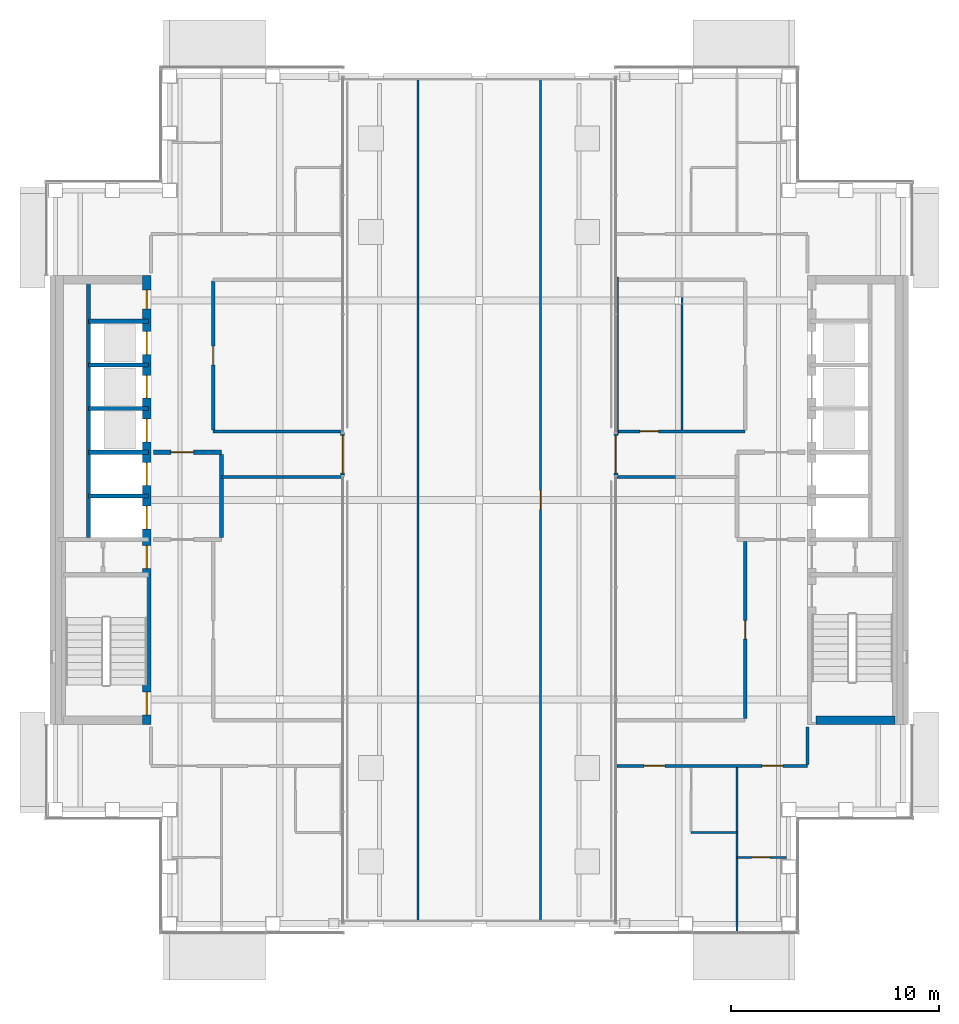
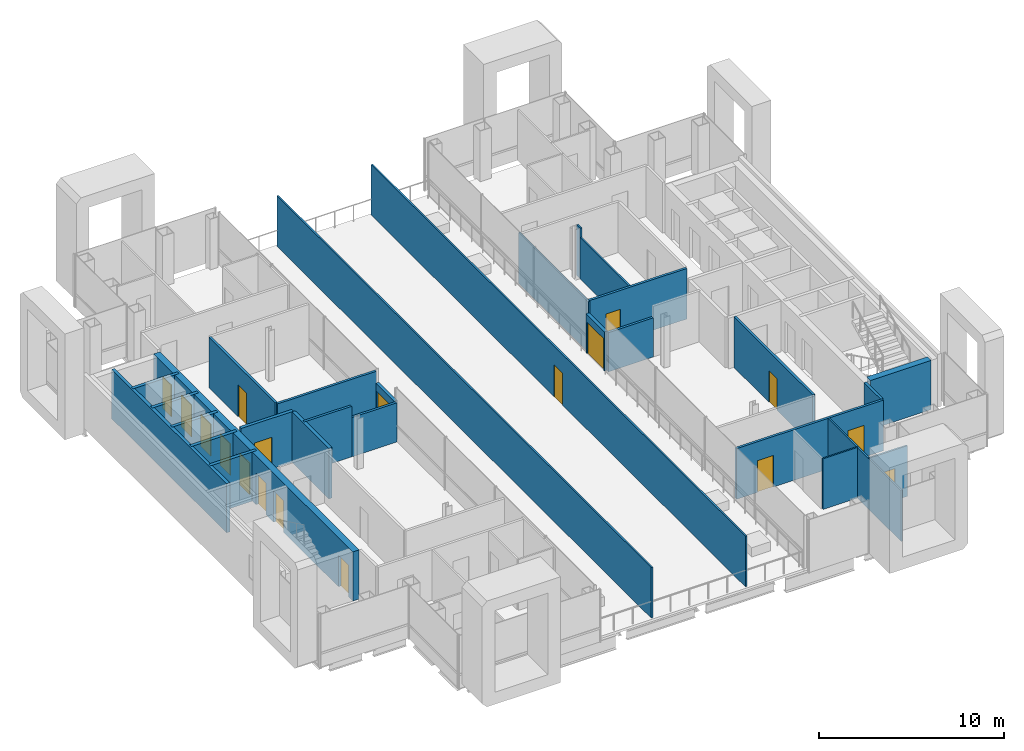
# One storey, part 11 of 17: 29 walls, 18 doors, 18 openings.
"""IFC4 building model written with IfcOpenShell, lengths in metres."""

from ifc_helpers import new_model, si_unit, direction, frame, frame_2d, origin, place, context, subcontext, project, spatial, rectangle, extrude, material, layer, layer_set, type_object, element, fill, save


model = new_model("IFC4")

# Units and contexts
model_context = context("Model", 3, precision=1e-05, world=origin(), true_north=direction((0.0, 1.0)))
body_context = subcontext(model_context, "Body", "Model", "MODEL_VIEW")
ifc_project = project(units=[si_unit("LENGTHUNIT", "METRE"), si_unit("AREAUNIT", "SQUARE_METRE"), si_unit("VOLUMEUNIT", "CUBIC_METRE"), si_unit("PLANEANGLEUNIT", "RADIAN"), si_unit("MASSUNIT", "GRAM", prefix="KILO")], contexts=[model_context])

# Site, building, storey
site_placement = place(None, origin())
site = spatial("IfcSite", under=ifc_project, at=site_placement, CompositionType="ELEMENT")
building_placement = place(site_placement, origin())
building = spatial("IfcBuilding", under=site, at=building_placement, Name="Cobrizo Arcos Hotel Tower", CompositionType="ELEMENT")
storey_placement = place(building_placement, frame((0.0, 0.0, 219.0)))
storey = spatial("IfcBuildingStorey", under=building, at=storey_placement, Name="L57", CompositionType="ELEMENT", Elevation=219.0)

# Wall, openings, doors
ifc_material_1 = material(Name="Gypsum board partition")
ifc_layer_1 = layer(ifc_material_1, 0.14990234375)
ifc_layer_set_1 = layer_set([ifc_layer_1], Name="Corridor wall EI 60 150")
wall_type_1 = type_object("IfcWallType", Name="Corridor wall EI 60 150", PredefinedType="PARTITIONING", material=ifc_layer_set_1)
wall_1_placement = place(storey_placement, frame((6.6201171875, -12.800048828125, 0.0), z_axis=(0.0, 0.0, 1.0), x_axis=(1.0, 0.0, 0.0)))
wall_1 = element("IfcWall", 1, at=wall_1_placement, inside=storey, type_object=wall_type_1, Name="Partition 006", PredefinedType="PARTITIONING", context=body_context, shape_type="SweptSolid", body=[
    extrude(rectangle(XDim=9.179931640625, YDim=0.14990234375, at=frame_2d((4.58984375, 0.0))), origin(), (0.0, 0.0, 1.0), 3.35009765625),
])
opening_1_placement = place(wall_1_placement, frame((1.31396484375, 0.0, 0.0)))
opening_1 = element("IfcOpeningElement", 2, at=opening_1_placement, cuts=wall_1, Name="Opening GD-03", PredefinedType="OPENING", context=body_context, shape_type="SweptSolid", body=[
    extrude(rectangle(XDim=1.0, YDim=2.10009765625, at=frame_2d((0.5, 1.050048828125))), frame((0.0, 0.0869140625, 0.0), z_axis=(0.0, -1.0, 0.0), x_axis=(1.0, 0.0, 0.0)), (0.0, 0.0, 1.0), 0.173828125),
])
opening_2_placement = place(wall_1_placement, frame((6.988037109375, 0.0, 0.0)))
opening_2 = element("IfcOpeningElement", 3, at=opening_2_placement, cuts=wall_1, Name="Opening GD-07", PredefinedType="OPENING", context=body_context, shape_type="SweptSolid", body=[
    extrude(rectangle(XDim=1.0, YDim=2.10009765625, at=frame_2d((0.5, 1.050048828125))), frame((0.0, 0.0869140625, 0.0), z_axis=(0.0, -1.0, 0.0), x_axis=(1.0, 0.0, 0.0)), (0.0, 0.0, 1.0), 0.173828125),
])
ifc_material_2 = material(Name="Timber door leaf", Category="wood")
door_type_1 = type_object("IfcDoorType", Name="Guest room door FD30S 1000x2100", OperationType="SINGLE_SWING_LEFT", PredefinedType="DOOR", material=ifc_material_2)
door_1_placement = place(opening_1_placement, origin())
door_1 = element("IfcDoor", 4, at=door_1_placement, inside=storey, type_object=door_type_1, Name="Door GD-03", OperationType="SINGLE_SWING_RIGHT", OverallHeight=2.10009765625, OverallWidth=1.0, PredefinedType="DOOR", context=body_context, shape_type="SweptSolid", body=[
    extrude(rectangle(XDim=1.0, YDim=2.10009765625, at=frame_2d((0.5, 1.050048828125))), frame((0.0, 0.02490234375, 0.0), z_axis=(0.0, -1.0, 0.0), x_axis=(1.0, 0.0, 0.0)), (0.0, 0.0, 1.0), 0.050048828125),
])
fill(opening_1, door_1)
door_2_placement = place(opening_2_placement, origin())
door_2 = element("IfcDoor", 5, at=door_2_placement, inside=storey, type_object=door_type_1, Name="Door GD-07", OperationType="SINGLE_SWING_LEFT", OverallHeight=2.10009765625, OverallWidth=1.0, PredefinedType="DOOR", context=body_context, shape_type="SweptSolid", body=[
    extrude(rectangle(XDim=1.0, YDim=2.10009765625, at=frame_2d((0.5, 1.050048828125))), frame((0.0, 0.02490234375, 0.0), z_axis=(0.0, -1.0, 0.0), x_axis=(1.0, 0.0, 0.0)), (0.0, 0.0, 1.0), 0.050048828125),
])
fill(opening_2, door_2)

# Walls
wall_2_placement = place(storey_placement, frame((-12.39990234375, 1.10009765625, 0.0), z_axis=(0.0, 0.0, 1.0), x_axis=(1.0, 0.0, 0.0)))
element("IfcWall", 6, at=wall_2_placement, inside=storey, type_object=wall_type_1, Name="Partition 017", PredefinedType="PARTITIONING", context=body_context, shape_type="SweptSolid", body=[
    extrude(rectangle(XDim=2.9638671875, YDim=0.14990234375, at=frame_2d((1.48193359375, 0.0))), origin(), (0.0, 0.0, 1.0), 3.35009765625),
])
for number, where, z_axis, x_axis, name in (
    (7, (-9.43603515625, 1.10009765625, 0.0), (0.0, 0.0, 1.0), (1.0, 0.0, 0.0), "Partition 018"),
    (8, (6.6201171875, 1.10009765625, 0.0), (0.0, 0.0, 1.0), (1.0, 0.0, 0.0), "Partition 019"),
):
    element("IfcWall", number, at=place(storey_placement, frame(where, z_axis=z_axis, x_axis=x_axis)), inside=storey, type_object=wall_type_1, Name=name, PredefinedType="PARTITIONING", context=body_context, shape_type="SweptSolid", body=[
        extrude(rectangle(XDim=2.81591796875, YDim=0.14990234375, at=frame_2d((1.407958984375, 0.0))), origin(), (0.0, 0.0, 1.0), 2.593017578125),
    ])
wall_3_placement = place(storey_placement, frame((-12.800048828125, 3.300048828125, 0.0), z_axis=(0.0, 0.0, 1.0), x_axis=(1.0, 0.0, 0.0)))
element("IfcWall", 9, at=wall_3_placement, inside=storey, type_object=wall_type_1, Name="Partition 025", PredefinedType="PARTITIONING", context=body_context, shape_type="SweptSolid", body=[
    extrude(rectangle(XDim=6.179931640625, YDim=0.14990234375, at=frame_2d((3.08984375, 0.0))), origin(), (0.0, 0.0, 1.0), 3.35009765625),
])

# Wall, opening, door
wall_4_placement = place(storey_placement, frame((6.64990234375, 3.300048828125, 0.0), z_axis=(0.0, 0.0, 1.0), x_axis=(1.0, 0.0, 0.0)))
wall_4 = element("IfcWall", 10, at=wall_4_placement, inside=storey, type_object=wall_type_1, Name="Partition 026", PredefinedType="PARTITIONING", context=body_context, shape_type="SweptSolid", body=[
    extrude(rectangle(XDim=6.150146484375, YDim=0.14990234375, at=frame_2d((3.0751953125, 0.0))), origin(), (0.0, 0.0, 1.0), 3.35009765625),
])
opening_3_placement = place(wall_4_placement, frame((1.0869140625, 0.0, 0.0)))
opening_3 = element("IfcOpeningElement", 11, at=opening_3_placement, cuts=wall_4, Name="Opening ED-09", PredefinedType="OPENING", context=body_context, shape_type="SweptSolid", body=[
    extrude(rectangle(XDim=0.89990234375, YDim=2.10009765625, at=frame_2d((0.449951171875, 1.050048828125))), frame((0.0, 0.0869140625, 0.0), z_axis=(0.0, -1.0, 0.0), x_axis=(1.0, 0.0, 0.0)), (0.0, 0.0, 1.0), 0.173828125),
])
door_type_2 = type_object("IfcDoorType", Name="En-suite door 900x2100", OperationType="SINGLE_SWING_LEFT", PredefinedType="DOOR", material=ifc_material_2)
door_3_placement = place(opening_3_placement, origin())
door_3 = element("IfcDoor", 12, at=door_3_placement, inside=storey, type_object=door_type_2, Name="Door ED-09", OperationType="SINGLE_SWING_LEFT", OverallHeight=2.10009765625, OverallWidth=0.89990234375, PredefinedType="DOOR", context=body_context, shape_type="SweptSolid", body=[
    extrude(rectangle(XDim=0.89990234375, YDim=2.10009765625, at=frame_2d((0.449951171875, 1.050048828125))), frame((0.0, 0.02490234375, 0.0), z_axis=(0.0, -1.0, 0.0), x_axis=(1.0, 0.0, 0.0)), (0.0, 0.0, 1.0), 0.050048828125),
])
fill(opening_3, door_3)

wall_5_placement = place(storey_placement, frame((-12.800048828125, 3.375, 0.0), z_axis=(0.0, 0.0, 1.0), x_axis=(0.0, 1.0, 0.0)))
wall_5 = element("IfcWall", 13, at=wall_5_placement, inside=storey, type_object=wall_type_1, Name="Partition 047", PredefinedType="PARTITIONING", context=body_context, shape_type="SweptSolid", body=[
    extrude(rectangle(XDim=7.175048828125, YDim=0.14990234375, at=frame_2d((3.58740234375, 0.0))), origin(), (0.0, 0.0, 1.0), 3.35009765625),
])
opening_4_placement = place(wall_5_placement, frame((3.125, 0.0, 0.0)))
opening_4 = element("IfcOpeningElement", 14, at=opening_4_placement, cuts=wall_5, Name="Opening RD-05", PredefinedType="OPENING", context=body_context, shape_type="SweptSolid", body=[
    extrude(rectangle(XDim=0.89990234375, YDim=2.10009765625, at=frame_2d((0.449951171875, 1.050048828125))), frame((0.0, 0.0869140625, 0.0), z_axis=(0.0, -1.0, 0.0), x_axis=(1.0, 0.0, 0.0)), (0.0, 0.0, 1.0), 0.173828125),
])
door_type_3 = type_object("IfcDoorType", Name="Room door FD30 900x2100", OperationType="SINGLE_SWING_LEFT", PredefinedType="DOOR", material=ifc_material_2)
door_4_placement = place(opening_4_placement, origin())
door_4 = element("IfcDoor", 15, at=door_4_placement, inside=storey, type_object=door_type_3, Name="Door RD-05", OperationType="SINGLE_SWING_RIGHT", OverallHeight=2.10009765625, OverallWidth=0.89990234375, PredefinedType="DOOR", context=body_context, shape_type="SweptSolid", body=[
    extrude(rectangle(XDim=0.89990234375, YDim=2.10009765625, at=frame_2d((0.449951171875, 1.050048828125))), frame((0.0, 0.02490234375, 0.0), z_axis=(0.0, -1.0, 0.0), x_axis=(1.0, 0.0, 0.0)), (0.0, 0.0, 1.0), 0.050048828125),
])
fill(opening_4, door_4)

wall_6_placement = place(storey_placement, frame((12.800048828125, -10.52490234375, 0.0), z_axis=(0.0, 0.0, 1.0), x_axis=(0.0, 1.0, 0.0)))
wall_6 = element("IfcWall", 16, at=wall_6_placement, inside=storey, type_object=wall_type_1, Name="Partition 066", PredefinedType="PARTITIONING", context=body_context, shape_type="SweptSolid", body=[
    extrude(rectangle(XDim=8.52490234375, YDim=0.14990234375, at=frame_2d((4.262451171875, 0.0))), origin(), (0.0, 0.0, 1.0), 3.35009765625),
])
opening_5_placement = place(wall_6_placement, frame((3.824951171875, 0.0, 0.0)))
opening_5 = element("IfcOpeningElement", 17, at=opening_5_placement, cuts=wall_6, Name="Opening RD-06", PredefinedType="OPENING", context=body_context, shape_type="SweptSolid", body=[
    extrude(rectangle(XDim=0.89990234375, YDim=2.10009765625, at=frame_2d((0.449951171875, 1.050048828125))), frame((0.0, 0.0869140625, 0.0), z_axis=(0.0, -1.0, 0.0), x_axis=(1.0, 0.0, 0.0)), (0.0, 0.0, 1.0), 0.173828125),
])
door_5_placement = place(opening_5_placement, origin())
door_5 = element("IfcDoor", 18, at=door_5_placement, inside=storey, type_object=door_type_3, Name="Door RD-06", OperationType="SINGLE_SWING_LEFT", OverallHeight=2.10009765625, OverallWidth=0.89990234375, PredefinedType="DOOR", context=body_context, shape_type="SweptSolid", body=[
    extrude(rectangle(XDim=0.89990234375, YDim=2.10009765625, at=frame_2d((0.449951171875, 1.050048828125))), frame((0.0, 0.02490234375, 0.0), z_axis=(0.0, -1.0, 0.0), x_axis=(1.0, 0.0, 0.0)), (0.0, 0.0, 1.0), 0.050048828125),
])
fill(opening_5, door_5)

# Wall
wall_7_placement = place(storey_placement, frame((15.800048828125, -12.72509765625, 0.0), z_axis=(0.0, 0.0, 1.0), x_axis=(0.0, 1.0, 0.0)))
element("IfcWall", 19, at=wall_7_placement, inside=storey, type_object=wall_type_1, Name="Partition 068", PredefinedType="PARTITIONING", context=body_context, shape_type="SweptSolid", body=[
    extrude(rectangle(XDim=1.80517578125, YDim=0.14990234375, at=frame_2d((0.902587890625, 0.0))), origin(), (0.0, 0.0, 1.0), 3.35009765625),
])

# Wall, opening, door
ifc_material_3 = material(Name="Aluminium 6063-T6 anodised pale", Category="aluminium")
ifc_layer_2 = layer(ifc_material_3, 0.199951171875)
ifc_layer_set_2 = layer_set([ifc_layer_2], Name="EW-4 sky bridge door frame wall")
wall_type_2 = type_object("IfcWallType", Name="EW-4 sky bridge door frame wall", PredefinedType="SOLIDWALL", material=ifc_layer_set_2)
wall_8_placement = place(storey_placement, frame((6.574951171875, 1.199951171875, 0.0), z_axis=(0.0, 0.0, 1.0), x_axis=(0.0, 1.0, 0.0)))
wall_8 = element("IfcWall", 20, at=wall_8_placement, inside=storey, type_object=wall_type_2, Name="Garden deck door wall C E", PredefinedType="SOLIDWALL", context=body_context, shape_type="SweptSolid", body=[
    extrude(rectangle(XDim=2.0, YDim=0.199951171875, at=frame_2d((1.0, 0.0))), origin(), (0.0, 0.0, 1.0), 2.59326171875),
])
opening_6_placement = place(wall_8_placement, frame((0.10009765625, 0.0, 0.0)))
opening_6 = element("IfcOpeningElement", 21, at=opening_6_placement, cuts=wall_8, Name="Opening E-56", PredefinedType="OPENING", context=body_context, shape_type="SweptSolid", body=[
    extrude(rectangle(XDim=1.800048828125, YDim=2.10009765625, at=frame_2d((0.89990234375, 1.050048828125))), frame((0.0, 0.112060546875, 0.0), z_axis=(0.0, -1.0, 0.0), x_axis=(1.0, 0.0, 0.0)), (0.0, 0.0, 1.0), 0.223876953125),
])
ifc_material_4 = material(Name="Aluminium 6063-T6 and clear laminated glass", Category="aluminium")
door_type_4 = type_object("IfcDoorType", Name="D-B1 sky bridge double door 1800x2100", OperationType="DOUBLE_DOOR_DOUBLE_SWING", PredefinedType="DOOR", material=ifc_material_4)
door_6_placement = place(opening_6_placement, origin())
door_6 = element("IfcDoor", 22, at=door_6_placement, inside=storey, type_object=door_type_4, Name="Garden deck door wall C E door E-56", OperationType="DOUBLE_DOOR_DOUBLE_SWING", OverallHeight=2.10009765625, OverallWidth=1.800048828125, PredefinedType="DOOR", context=body_context, shape_type="SweptSolid", body=[
    extrude(rectangle(XDim=1.800048828125, YDim=2.10009765625, at=frame_2d((0.89990234375, 1.050048828125))), frame((0.0, 0.02490234375, 0.0), z_axis=(0.0, -1.0, 0.0), x_axis=(1.0, 0.0, 0.0)), (0.0, 0.0, 1.0), 0.050048828125),
])
fill(opening_6, door_6)

wall_9_placement = place(storey_placement, frame((-6.574951171875, 1.199951171875, 0.0), z_axis=(0.0, 0.0, 1.0), x_axis=(0.0, 1.0, 0.0)))
wall_9 = element("IfcWall", 23, at=wall_9_placement, inside=storey, type_object=wall_type_2, Name="Garden deck door wall C W", PredefinedType="SOLIDWALL", context=body_context, shape_type="SweptSolid", body=[
    extrude(rectangle(XDim=2.0, YDim=0.199951171875, at=frame_2d((1.0, 0.0))), origin(), (0.0, 0.0, 1.0), 2.59326171875),
])
opening_7_placement = place(wall_9_placement, frame((0.10009765625, 0.0, 0.0)))
opening_7 = element("IfcOpeningElement", 24, at=opening_7_placement, cuts=wall_9, Name="Opening E-57", PredefinedType="OPENING", context=body_context, shape_type="SweptSolid", body=[
    extrude(rectangle(XDim=1.800048828125, YDim=2.10009765625, at=frame_2d((0.89990234375, 1.050048828125))), frame((0.0, 0.112060546875, 0.0), z_axis=(0.0, -1.0, 0.0), x_axis=(1.0, 0.0, 0.0)), (0.0, 0.0, 1.0), 0.223876953125),
])
door_7_placement = place(opening_7_placement, origin())
door_7 = element("IfcDoor", 25, at=door_7_placement, inside=storey, type_object=door_type_4, Name="Garden deck door wall C W door E-57", OperationType="DOUBLE_DOOR_DOUBLE_SWING", OverallHeight=2.10009765625, OverallWidth=1.800048828125, PredefinedType="DOOR", context=body_context, shape_type="SweptSolid", body=[
    extrude(rectangle(XDim=1.800048828125, YDim=2.10009765625, at=frame_2d((0.89990234375, 1.050048828125))), frame((0.0, 0.02490234375, 0.0), z_axis=(0.0, -1.0, 0.0), x_axis=(1.0, 0.0, 0.0)), (0.0, 0.0, 1.0), 0.050048828125),
])
fill(opening_7, door_7)

ifc_layer_3 = layer(ifc_material_1, 0.10009765625)
ifc_layer_set_3 = layer_set([ifc_layer_3], Name="Partition EI 30 100")
wall_type_3 = type_object("IfcWallType", Name="Partition EI 30 100", PredefinedType="PARTITIONING", material=ifc_layer_set_3)
wall_10_placement = place(storey_placement, frame((12.39990234375, -17.199951171875, 0.0), z_axis=(0.0, 0.0, 1.0), x_axis=(1.0, 0.0, 0.0)))
wall_10 = element("IfcWall", 26, at=wall_10_placement, inside=storey, type_object=wall_type_3, Name="Partition 002", PredefinedType="PARTITIONING", context=body_context, shape_type="SweptSolid", body=[
    extrude(rectangle(XDim=2.380126953125, YDim=0.10009765625, at=frame_2d((1.18994140625, 0.0))), origin(), (0.0, 0.0, 1.0), 3.35009765625),
])
opening_8_placement = place(wall_10_placement, frame((0.705078125, 0.0, 0.0)))
opening_8 = element("IfcOpeningElement", 27, at=opening_8_placement, cuts=wall_10, Name="Opening ED-07", PredefinedType="OPENING", context=body_context, shape_type="SweptSolid", body=[
    extrude(rectangle(XDim=0.89990234375, YDim=2.10009765625, at=frame_2d((0.449951171875, 1.050048828125))), frame((0.0, 0.06201171875, 0.0), z_axis=(0.0, -1.0, 0.0), x_axis=(1.0, 0.0, 0.0)), (0.0, 0.0, 1.0), 0.1240234375),
])
door_8_placement = place(opening_8_placement, origin())
door_8 = element("IfcDoor", 28, at=door_8_placement, inside=storey, type_object=door_type_2, Name="Door ED-07", OperationType="SINGLE_SWING_LEFT", OverallHeight=2.10009765625, OverallWidth=0.89990234375, PredefinedType="DOOR", context=body_context, shape_type="SweptSolid", body=[
    extrude(rectangle(XDim=0.89990234375, YDim=2.10009765625, at=frame_2d((0.449951171875, 1.050048828125))), frame((0.0, 0.02490234375, 0.0), z_axis=(0.0, -1.0, 0.0), x_axis=(1.0, 0.0, 0.0)), (0.0, 0.0, 1.0), 0.050048828125),
])
fill(opening_8, door_8)

# Walls
wall_11_placement = place(storey_placement, frame((10.199951171875, -16.0, 0.0), z_axis=(0.0, 0.0, 1.0), x_axis=(1.0, 0.0, 0.0)))
element("IfcWall", 29, at=wall_11_placement, inside=storey, type_object=wall_type_3, Name="Partition 004", PredefinedType="PARTITIONING", context=body_context, shape_type="SweptSolid", body=[
    extrude(rectangle(XDim=2.199951171875, YDim=0.10009765625, at=frame_2d((1.10009765625, 0.0))), origin(), (0.0, 0.0, 1.0), 3.35009765625),
])
wall_12_placement = place(storey_placement, frame((-2.949951171875, -20.280029296875, 0.0), z_axis=(0.0, 0.0, 1.0), x_axis=(0.0, 1.0, 0.0)))
element("IfcWall", 30, at=wall_12_placement, inside=storey, type_object=wall_type_3, Name="Partition 055", PredefinedType="PARTITIONING", context=body_context, shape_type="SweptSolid", body=[
    extrude(rectangle(XDim=40.56005859375, YDim=0.10009765625, at=frame_2d((20.280029296875, 0.0))), origin(), (0.0, 0.0, 1.0), 3.35009765625),
])

# Wall, opening, door
wall_13_placement = place(storey_placement, frame((2.949951171875, -20.280029296875, 0.0), z_axis=(0.0, 0.0, 1.0), x_axis=(0.0, 1.0, 0.0)))
wall_13 = element("IfcWall", 31, at=wall_13_placement, inside=storey, type_object=wall_type_3, Name="Partition 056", PredefinedType="PARTITIONING", context=body_context, shape_type="SweptSolid", body=[
    extrude(rectangle(XDim=40.56005859375, YDim=0.10009765625, at=frame_2d((20.280029296875, 0.0))), origin(), (0.0, 0.0, 1.0), 3.35009765625),
])
opening_9_placement = place(wall_13_placement, frame((19.830078125, 0.0, 0.0)))
opening_9 = element("IfcOpeningElement", 32, at=opening_9_placement, cuts=wall_13, Name="Opening RD-08", PredefinedType="OPENING", context=body_context, shape_type="SweptSolid", body=[
    extrude(rectangle(XDim=0.89990234375, YDim=2.10009765625, at=frame_2d((0.449951171875, 1.050048828125))), frame((0.0, 0.06201171875, 0.0), z_axis=(0.0, -1.0, 0.0), x_axis=(1.0, 0.0, 0.0)), (0.0, 0.0, 1.0), 0.1240234375),
])
door_9_placement = place(opening_9_placement, origin())
door_9 = element("IfcDoor", 33, at=door_9_placement, inside=storey, type_object=door_type_3, Name="Door RD-08", OperationType="SINGLE_SWING_RIGHT", OverallHeight=2.10009765625, OverallWidth=0.89990234375, PredefinedType="DOOR", context=body_context, shape_type="SweptSolid", body=[
    extrude(rectangle(XDim=0.89990234375, YDim=2.10009765625, at=frame_2d((0.449951171875, 1.050048828125))), frame((0.0, 0.02490234375, 0.0), z_axis=(0.0, -1.0, 0.0), x_axis=(1.0, 0.0, 0.0)), (0.0, 0.0, 1.0), 0.050048828125),
])
fill(opening_9, door_9)

# Walls
wall_14_placement = place(storey_placement, frame((6.64990234375, 3.159912109375, 0.0), z_axis=(0.0, 0.0, 1.0), x_axis=(0.0, 1.0, 0.0)))
element("IfcWall", 34, at=wall_14_placement, inside=storey, type_object=wall_type_3, Name="Partition 057", PredefinedType="PARTITIONING", context=body_context, shape_type="SweptSolid", body=[
    extrude(rectangle(XDim=7.580078125, YDim=0.10009765625, at=frame_2d((3.7900390625, 0.0))), origin(), (0.0, 0.0, 1.0), 3.35009765625),
])
wall_15_placement = place(storey_placement, frame((9.75, 3.375, 0.0), z_axis=(0.0, 0.0, 1.0), x_axis=(0.0, 1.0, 0.0)))
element("IfcWall", 35, at=wall_15_placement, inside=storey, type_object=wall_type_3, Name="Partition 058", PredefinedType="PARTITIONING", context=body_context, shape_type="SweptSolid", body=[
    extrude(rectangle(XDim=6.0380859375, YDim=0.10009765625, at=frame_2d((3.01904296875, 0.0))), origin(), (0.0, 0.0, 1.0), 2.72802734375),
])
wall_16_placement = place(storey_placement, frame((9.75, 9.4130859375, 0.0), z_axis=(0.0, 0.0, 1.0), x_axis=(0.0, 1.0, 0.0)))
element("IfcWall", 36, at=wall_16_placement, inside=storey, type_object=wall_type_3, Name="Partition 059", PredefinedType="PARTITIONING", context=body_context, shape_type="SweptSolid", body=[
    extrude(rectangle(XDim=0.3740234375, YDim=0.10009765625, at=frame_2d((0.18701171875, 0.0))), origin(), (0.0, 0.0, 1.0), 3.35009765625),
])
wall_17_placement = place(storey_placement, frame((12.39990234375, -20.780029296875, 0.0), z_axis=(0.0, 0.0, 1.0), x_axis=(0.0, 1.0, 0.0)))
element("IfcWall", 37, at=wall_17_placement, inside=storey, type_object=wall_type_3, Name="Partition 063", PredefinedType="PARTITIONING", context=body_context, shape_type="SweptSolid", body=[
    extrude(rectangle(XDim=7.905029296875, YDim=0.10009765625, at=frame_2d((3.95263671875, 0.0))), origin(), (0.0, 0.0, 1.0), 3.35009765625),
])
ifc_material_5 = material(Name="Concrete f'c 40 MPa", Category="concrete")
ifc_layer_4 = layer(ifc_material_5, 0.39990234375)
ifc_layer_set_4 = layer_set([ifc_layer_4], Name="RC core wall 400 f'c 40")
wall_type_4 = type_object("IfcWallType", Name="RC core wall 400 f'c 40", PredefinedType="SHEAR", material=ifc_layer_set_4)
wall_18_placement = place(storey_placement, frame((16.199951171875, -10.60009765625, 0.0), z_axis=(0.0, 0.0, 1.0), x_axis=(1.0, 0.0, 0.0)))
element("IfcWall", 38, at=wall_18_placement, inside=storey, type_object=wall_type_4, Name="Core wall CW4, east core, south end, L57", PredefinedType="SHEAR", context=body_context, shape_type="SweptSolid", body=[
    extrude(rectangle(XDim=3.800048828125, YDim=0.39990234375, at=frame_2d((1.89990234375, 0.0))), origin(), (0.0, 0.0, 1.0), 3.25),
])

# Wall, openings, doors
wall_19_placement = place(storey_placement, frame((-16.0, -10.800048828125, 0.0), z_axis=(0.0, 0.0, 1.0), x_axis=(0.0, 1.0, 0.0)))
wall_19 = element("IfcWall", 39, at=wall_19_placement, inside=storey, type_object=wall_type_4, Name="Core wall CW4, west core, inner face, L57", PredefinedType="SHEAR", context=body_context, shape_type="SweptSolid", body=[
    extrude(rectangle(XDim=21.60009765625, YDim=0.39990234375, at=frame_2d((10.800048828125, 0.0))), origin(), (0.0, 0.0, 1.0), 3.25),
])
opening_10_placement = place(wall_19_placement, frame((9.39990234375, 0.0, 0.0)))
opening_10 = element("IfcOpeningElement", 40, at=opening_10_placement, cuts=wall_19, Name="Opening LD-01", PredefinedType="OPENING", context=body_context, shape_type="SweptSolid", body=[
    extrude(rectangle(XDim=1.10009765625, YDim=2.10009765625, at=frame_2d((0.550048828125, 1.050048828125))), frame((0.0, 0.2119140625, 0.0), z_axis=(0.0, -1.0, 0.0), x_axis=(1.0, 0.0, 0.0)), (0.0, 0.0, 1.0), 0.423828125),
])
opening_11_placement = place(wall_19_placement, frame((11.5, 0.0, 0.0)))
opening_11 = element("IfcOpeningElement", 41, at=opening_11_placement, cuts=wall_19, Name="Opening LD-02", PredefinedType="OPENING", context=body_context, shape_type="SweptSolid", body=[
    extrude(rectangle(XDim=1.10009765625, YDim=2.10009765625, at=frame_2d((0.550048828125, 1.050048828125))), frame((0.0, 0.2119140625, 0.0), z_axis=(0.0, -1.0, 0.0), x_axis=(1.0, 0.0, 0.0)), (0.0, 0.0, 1.0), 0.423828125),
])
opening_12_placement = place(wall_19_placement, frame((13.60009765625, 0.0, 0.0)))
opening_12 = element("IfcOpeningElement", 42, at=opening_12_placement, cuts=wall_19, Name="Opening LD-03", PredefinedType="OPENING", context=body_context, shape_type="SweptSolid", body=[
    extrude(rectangle(XDim=1.10009765625, YDim=2.10009765625, at=frame_2d((0.550048828125, 1.050048828125))), frame((0.0, 0.2119140625, 0.0), z_axis=(0.0, -1.0, 0.0), x_axis=(1.0, 0.0, 0.0)), (0.0, 0.0, 1.0), 0.423828125),
])
opening_13_placement = place(wall_19_placement, frame((15.699951171875, 0.0, 0.0)))
opening_13 = element("IfcOpeningElement", 43, at=opening_13_placement, cuts=wall_19, Name="Opening LD-04", PredefinedType="OPENING", context=body_context, shape_type="SweptSolid", body=[
    extrude(rectangle(XDim=1.10009765625, YDim=2.10009765625, at=frame_2d((0.550048828125, 1.050048828125))), frame((0.0, 0.2119140625, 0.0), z_axis=(0.0, -1.0, 0.0), x_axis=(1.0, 0.0, 0.0)), (0.0, 0.0, 1.0), 0.423828125),
])
opening_14_placement = place(wall_19_placement, frame((17.800048828125, 0.0, 0.0)))
opening_14 = element("IfcOpeningElement", 44, at=opening_14_placement, cuts=wall_19, Name="Opening LD-05", PredefinedType="OPENING", context=body_context, shape_type="SweptSolid", body=[
    extrude(rectangle(XDim=1.10009765625, YDim=2.10009765625, at=frame_2d((0.550048828125, 1.050048828125))), frame((0.0, 0.2119140625, 0.0), z_axis=(0.0, -1.0, 0.0), x_axis=(1.0, 0.0, 0.0)), (0.0, 0.0, 1.0), 0.423828125),
])
opening_15_placement = place(wall_19_placement, frame((0.4580078125, 0.0, 0.0)))
opening_15 = element("IfcOpeningElement", 45, at=opening_15_placement, cuts=wall_19, Name="Opening SD-01", PredefinedType="OPENING", context=body_context, shape_type="SweptSolid", body=[
    extrude(rectangle(XDim=1.10009765625, YDim=2.10009765625, at=frame_2d((0.550048828125, 1.050048828125))), frame((0.0, 0.2119140625, 0.0), z_axis=(0.0, -1.0, 0.0), x_axis=(1.0, 0.0, 0.0)), (0.0, 0.0, 1.0), 0.423828125),
])
opening_16_placement = place(wall_19_placement, frame((7.5, 0.0, 0.0)))
opening_16 = element("IfcOpeningElement", 46, at=opening_16_placement, cuts=wall_19, Name="Opening FD-01", PredefinedType="OPENING", context=body_context, shape_type="SweptSolid", body=[
    extrude(rectangle(XDim=1.10009765625, YDim=2.10009765625, at=frame_2d((0.550048828125, 1.050048828125))), frame((0.0, 0.2119140625, 0.0), z_axis=(0.0, -1.0, 0.0), x_axis=(1.0, 0.0, 0.0)), (0.0, 0.0, 1.0), 0.423828125),
])
opening_17_placement = place(wall_19_placement, frame((20.0, 0.0, 0.0)))
opening_17 = element("IfcOpeningElement", 47, at=opening_17_placement, cuts=wall_19, Name="Opening RD-02", PredefinedType="OPENING", context=body_context, shape_type="SweptSolid", body=[
    extrude(rectangle(XDim=0.89990234375, YDim=2.10009765625, at=frame_2d((0.449951171875, 1.050048828125))), frame((0.0, 0.2119140625, 0.0), z_axis=(0.0, -1.0, 0.0), x_axis=(1.0, 0.0, 0.0)), (0.0, 0.0, 1.0), 0.423828125),
])
ifc_material_6 = material(Name="Steel door leaf", Category="steel")
door_type_5 = type_object("IfcDoorType", Name="Fire door FD60 1100x2100", OperationType="SINGLE_SWING_LEFT", PredefinedType="DOOR", material=ifc_material_6)
door_10_placement = place(opening_16_placement, origin())
door_10 = element("IfcDoor", 48, at=door_10_placement, inside=storey, type_object=door_type_5, Name="Door FD-01", OperationType="SINGLE_SWING_RIGHT", OverallHeight=2.10009765625, OverallWidth=1.10009765625, PredefinedType="DOOR", context=body_context, shape_type="SweptSolid", body=[
    extrude(rectangle(XDim=1.10009765625, YDim=2.10009765625, at=frame_2d((0.550048828125, 1.050048828125))), frame((0.0, 0.02490234375, 0.0), z_axis=(0.0, -1.0, 0.0), x_axis=(1.0, 0.0, 0.0)), (0.0, 0.0, 1.0), 0.050048828125),
])
fill(opening_16, door_10)
door_type_6 = type_object("IfcDoorType", Name="Lift landing door 1100x2100", OperationType="SLIDING_TO_LEFT", PredefinedType="DOOR", material=ifc_material_6)
door_11_placement = place(opening_10_placement, origin())
door_11 = element("IfcDoor", 49, at=door_11_placement, inside=storey, type_object=door_type_6, Name="Lift landing door LD-01", OperationType="SLIDING_TO_LEFT", OverallHeight=2.10009765625, OverallWidth=1.10009765625, PredefinedType="DOOR", context=body_context, shape_type="SweptSolid", body=[
    extrude(rectangle(XDim=1.10009765625, YDim=2.10009765625, at=frame_2d((0.550048828125, 1.050048828125))), frame((0.0, 0.02490234375, 0.0), z_axis=(0.0, -1.0, 0.0), x_axis=(1.0, 0.0, 0.0)), (0.0, 0.0, 1.0), 0.050048828125),
])
fill(opening_10, door_11)
door_12_placement = place(opening_11_placement, origin())
door_12 = element("IfcDoor", 50, at=door_12_placement, inside=storey, type_object=door_type_6, Name="Lift landing door LD-02", OperationType="SLIDING_TO_LEFT", OverallHeight=2.10009765625, OverallWidth=1.10009765625, PredefinedType="DOOR", context=body_context, shape_type="SweptSolid", body=[
    extrude(rectangle(XDim=1.10009765625, YDim=2.10009765625, at=frame_2d((0.550048828125, 1.050048828125))), frame((0.0, 0.02490234375, 0.0), z_axis=(0.0, -1.0, 0.0), x_axis=(1.0, 0.0, 0.0)), (0.0, 0.0, 1.0), 0.050048828125),
])
fill(opening_11, door_12)
door_13_placement = place(opening_12_placement, origin())
door_13 = element("IfcDoor", 51, at=door_13_placement, inside=storey, type_object=door_type_6, Name="Lift landing door LD-03", OperationType="SLIDING_TO_LEFT", OverallHeight=2.10009765625, OverallWidth=1.10009765625, PredefinedType="DOOR", context=body_context, shape_type="SweptSolid", body=[
    extrude(rectangle(XDim=1.10009765625, YDim=2.10009765625, at=frame_2d((0.550048828125, 1.050048828125))), frame((0.0, 0.02490234375, 0.0), z_axis=(0.0, -1.0, 0.0), x_axis=(1.0, 0.0, 0.0)), (0.0, 0.0, 1.0), 0.050048828125),
])
fill(opening_12, door_13)
door_14_placement = place(opening_13_placement, origin())
door_14 = element("IfcDoor", 52, at=door_14_placement, inside=storey, type_object=door_type_6, Name="Lift landing door LD-04", OperationType="SLIDING_TO_LEFT", OverallHeight=2.10009765625, OverallWidth=1.10009765625, PredefinedType="DOOR", context=body_context, shape_type="SweptSolid", body=[
    extrude(rectangle(XDim=1.10009765625, YDim=2.10009765625, at=frame_2d((0.550048828125, 1.050048828125))), frame((0.0, 0.02490234375, 0.0), z_axis=(0.0, -1.0, 0.0), x_axis=(1.0, 0.0, 0.0)), (0.0, 0.0, 1.0), 0.050048828125),
])
fill(opening_13, door_14)
door_15_placement = place(opening_14_placement, origin())
door_15 = element("IfcDoor", 53, at=door_15_placement, inside=storey, type_object=door_type_6, Name="Lift landing door LD-05", OperationType="SLIDING_TO_LEFT", OverallHeight=2.10009765625, OverallWidth=1.10009765625, PredefinedType="DOOR", context=body_context, shape_type="SweptSolid", body=[
    extrude(rectangle(XDim=1.10009765625, YDim=2.10009765625, at=frame_2d((0.550048828125, 1.050048828125))), frame((0.0, 0.02490234375, 0.0), z_axis=(0.0, -1.0, 0.0), x_axis=(1.0, 0.0, 0.0)), (0.0, 0.0, 1.0), 0.050048828125),
])
fill(opening_14, door_15)
door_16_placement = place(opening_17_placement, origin())
door_16 = element("IfcDoor", 54, at=door_16_placement, inside=storey, type_object=door_type_3, Name="Door RD-02", OperationType="SINGLE_SWING_RIGHT", OverallHeight=2.10009765625, OverallWidth=0.89990234375, PredefinedType="DOOR", context=body_context, shape_type="SweptSolid", body=[
    extrude(rectangle(XDim=0.89990234375, YDim=2.10009765625, at=frame_2d((0.449951171875, 1.050048828125))), frame((0.0, 0.02490234375, 0.0), z_axis=(0.0, -1.0, 0.0), x_axis=(1.0, 0.0, 0.0)), (0.0, 0.0, 1.0), 0.050048828125),
])
fill(opening_17, door_16)
door_type_7 = type_object("IfcDoorType", Name="Stair door FD60S 1100x2100", OperationType="SINGLE_SWING_LEFT", PredefinedType="DOOR", material=ifc_material_6)
door_17_placement = place(opening_15_placement, origin())
door_17 = element("IfcDoor", 55, at=door_17_placement, inside=storey, type_object=door_type_7, Name="Door SD-01", OperationType="SINGLE_SWING_RIGHT", OverallHeight=2.10009765625, OverallWidth=1.10009765625, PredefinedType="DOOR", context=body_context, shape_type="SweptSolid", body=[
    extrude(rectangle(XDim=1.10009765625, YDim=2.10009765625, at=frame_2d((0.550048828125, 1.050048828125))), frame((0.0, 0.02490234375, 0.0), z_axis=(0.0, -1.0, 0.0), x_axis=(1.0, 0.0, 0.0)), (0.0, 0.0, 1.0), 0.050048828125),
])
fill(opening_15, door_17)

# Walls
ifc_layer_5 = layer(ifc_material_1, 0.199951171875)
ifc_layer_set_5 = layer_set([ifc_layer_5], Name="Shaft wall EI 120 200")
wall_type_5 = type_object("IfcWallType", Name="Shaft wall EI 120 200", PredefinedType="PARTITIONING", material=ifc_layer_set_5)
for number, where, z_axis, x_axis, name in (
    (56, (-18.800048828125, 0.199951171875, 0.0), (0.0, 0.0, 1.0), (1.0, 0.0, 0.0), "Partition 015"),
    (57, (-18.800048828125, 2.300048828125, 0.0), (0.0, 0.0, 1.0), (1.0, 0.0, 0.0), "Partition 021"),
):
    element("IfcWall", number, at=place(storey_placement, frame(where, z_axis=z_axis, x_axis=x_axis)), inside=storey, type_object=wall_type_5, Name=name, PredefinedType="PARTITIONING", context=body_context, shape_type="SweptSolid", body=[
        extrude(rectangle(XDim=2.880126953125, YDim=0.199951171875, at=frame_2d((1.43994140625, 0.0))), origin(), (0.0, 0.0, 1.0), 3.25),
    ])

# Wall, opening, door
wall_20_placement = place(storey_placement, frame((-15.679931640625, 2.300048828125, 0.0), z_axis=(0.0, 0.0, 1.0), x_axis=(1.0, 0.0, 0.0)))
wall_20 = element("IfcWall", 58, at=wall_20_placement, inside=storey, type_object=wall_type_5, Name="Partition 022", PredefinedType="PARTITIONING", context=body_context, shape_type="SweptSolid", body=[
    extrude(rectangle(XDim=3.280029296875, YDim=0.199951171875, at=frame_2d((1.64013671875, 0.0))), origin(), (0.0, 0.0, 1.0), 3.35009765625),
])
opening_18_placement = place(wall_20_placement, frame((0.840087890625, 0.0, 0.0)))
opening_18 = element("IfcOpeningElement", 59, at=opening_18_placement, cuts=wall_20, Name="Opening FD-02", PredefinedType="OPENING", context=body_context, shape_type="SweptSolid", body=[
    extrude(rectangle(XDim=1.10009765625, YDim=2.10009765625, at=frame_2d((0.550048828125, 1.050048828125))), frame((0.0, 0.112060546875, 0.0), z_axis=(0.0, -1.0, 0.0), x_axis=(1.0, 0.0, 0.0)), (0.0, 0.0, 1.0), 0.223876953125),
])
door_18_placement = place(opening_18_placement, origin())
door_18 = element("IfcDoor", 60, at=door_18_placement, inside=storey, type_object=door_type_5, Name="Door FD-02", OperationType="SINGLE_SWING_LEFT", OverallHeight=2.10009765625, OverallWidth=1.10009765625, PredefinedType="DOOR", context=body_context, shape_type="SweptSolid", body=[
    extrude(rectangle(XDim=1.10009765625, YDim=2.10009765625, at=frame_2d((0.550048828125, 1.050048828125))), frame((0.0, 0.02490234375, 0.0), z_axis=(0.0, -1.0, 0.0), x_axis=(1.0, 0.0, 0.0)), (0.0, 0.0, 1.0), 0.050048828125),
])
fill(opening_18, door_18)

# Walls
for number, where, z_axis, x_axis, name in (
    (61, (-18.800048828125, 4.39990234375, 0.0), (0.0, 0.0, 1.0), (1.0, 0.0, 0.0), "Partition 027"),
    (62, (-18.800048828125, 6.5, 0.0), (0.0, 0.0, 1.0), (1.0, 0.0, 0.0), "Partition 029"),
    (63, (-18.800048828125, 8.60009765625, 0.0), (0.0, 0.0, 1.0), (1.0, 0.0, 0.0), "Partition 031"),
):
    element("IfcWall", number, at=place(storey_placement, frame(where, z_axis=z_axis, x_axis=x_axis)), inside=storey, type_object=wall_type_5, Name=name, PredefinedType="PARTITIONING", context=body_context, shape_type="SweptSolid", body=[
        extrude(rectangle(XDim=2.880126953125, YDim=0.199951171875, at=frame_2d((1.43994140625, 0.0))), origin(), (0.0, 0.0, 1.0), 3.25),
    ])
wall_21_placement = place(storey_placement, frame((-18.800048828125, -1.800048828125, 0.0), z_axis=(0.0, 0.0, 1.0), x_axis=(0.0, 1.0, 0.0)))
element("IfcWall", 64, at=wall_21_placement, inside=storey, type_object=wall_type_5, Name="Partition 042", PredefinedType="PARTITIONING", context=body_context, shape_type="SweptSolid", body=[
    extrude(rectangle(XDim=12.47998046875, YDim=0.199951171875, at=frame_2d((6.239990234375, 0.0))), origin(), (0.0, 0.0, 1.0), 3.25),
])
wall_22_placement = place(storey_placement, frame((-12.39990234375, -1.800048828125, 0.0), z_axis=(0.0, 0.0, 1.0), x_axis=(0.0, 1.0, 0.0)))
element("IfcWall", 65, at=wall_22_placement, inside=storey, type_object=wall_type_5, Name="Partition 049", PredefinedType="PARTITIONING", context=body_context, shape_type="SweptSolid", body=[
    extrude(rectangle(XDim=4.0, YDim=0.199951171875, at=frame_2d((2.0, 0.0))), origin(), (0.0, 0.0, 1.0), 3.35009765625),
])

save(model, "model.ifc")
